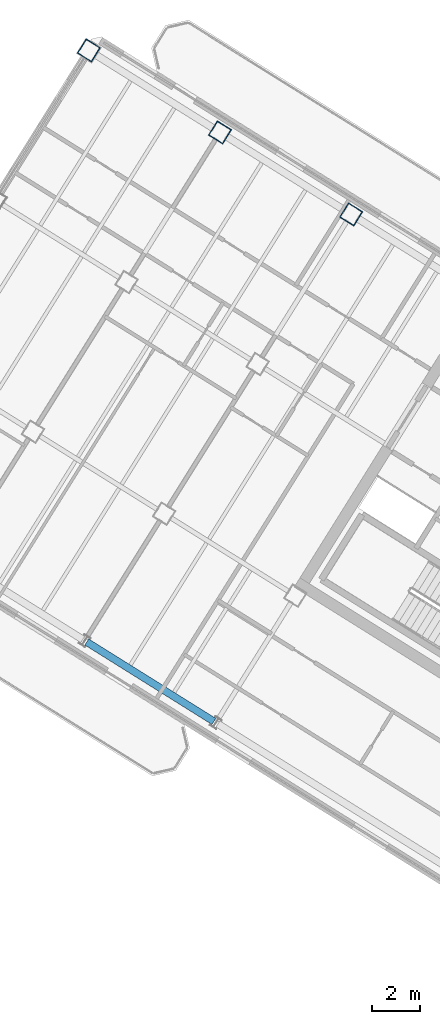
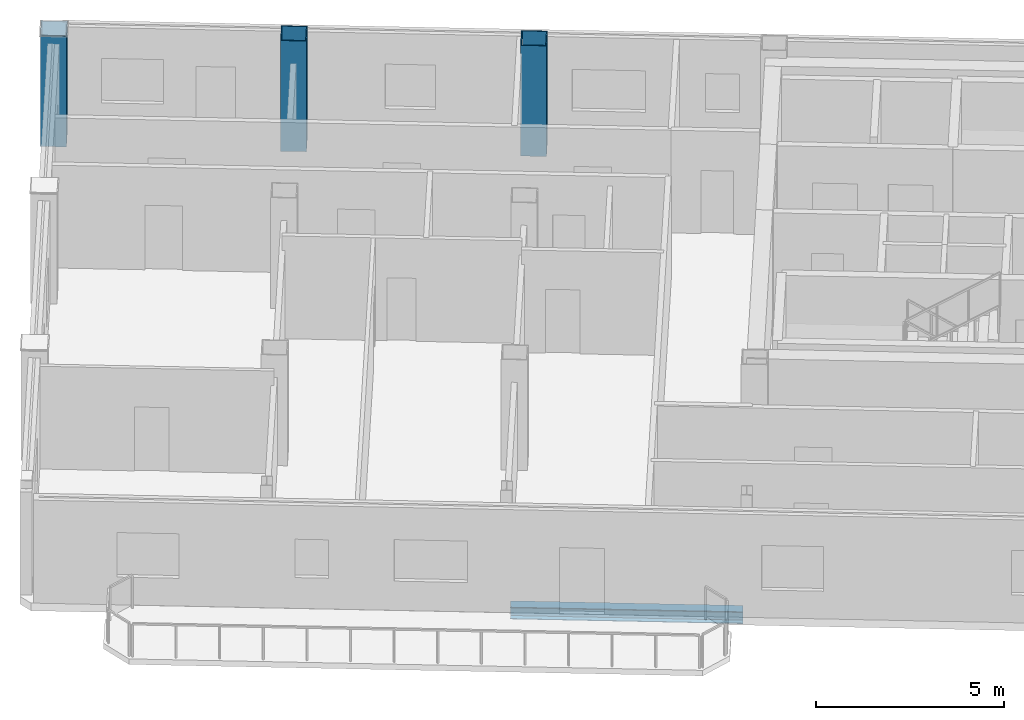
# One storey, part 2 of 17: 3 columns, 1 beam.
"""IFC4 building model written with IfcOpenShell, lengths in metres."""

import ifcopenshell
import ifcopenshell.guid

model = None  # the IFC model being written
_history = None  # IfcOwnerHistory: only IFC2X3 demands one
_inside = {}  # id of a spatial element -> (the spatial element, [elements in it])
_under = {}  # id of a project, library or spatial element -> (it, [spatial elements below it])
_declared = {}  # id of a project -> (the project, [libraries it declares])
_typed = {}  # id of a type object -> (the type object, [elements of that type])
_made_of = {}  # id of a material, layer set ... -> (it, [elements and type objects made of it])


def new_model(schema):
    """Start an empty IFC model of exactly this schema.

    Asked for "IFC4X3", IfcOpenShell would pick the latest addendum, in which some entities
    have other attributes; the version numbers below select the first issue.
    IFC2X3 requires an IfcOwnerHistory on every rooted entity: one is made here for all.
    """
    global model, _history
    if schema == "IFC4X3":
        model = ifcopenshell.file(schema_version=(4, 3, 0, 0))
    else:
        model = ifcopenshell.file(schema=schema)
    _inside.clear()
    _under.clear()
    _declared.clear()
    _typed.clear()
    _made_of.clear()
    _history = None
    if model.schema == "IFC2X3":
        org = make("IfcOrganization", Name="unknown")
        user = make(
            "IfcPersonAndOrganization",
            ThePerson=make("IfcPerson", FamilyName="unknown"),
            TheOrganization=org,
        )
        app = make(
            "IfcApplication",
            ApplicationDeveloper=org,
            Version="unknown",
            ApplicationFullName="unknown",
            ApplicationIdentifier="unknown",
        )
        _history = make(
            "IfcOwnerHistory",
            OwningUser=user,
            OwningApplication=app,
            ChangeAction="ADDED",
            CreationDate=0,
        )
    return model


def make(cls, **values):
    """One entity of the class cls with the attributes given. An attribute that is None is left unset."""
    return model.create_entity(
        cls, **{name: value for name, value in values.items() if value is not None}
    )


def rooted(cls, **values):
    """An entity with a GlobalId (a new one), such as an element, a storey or a relation."""
    return make(cls, GlobalId=ifcopenshell.guid.new(), OwnerHistory=_history, **values)


def si_unit(unit_type, name, prefix=None):
    """IfcSIUnit, for example si_unit("LENGTHUNIT", "METRE", prefix="MILLI")."""
    return make("IfcSIUnit", UnitType=unit_type, Prefix=prefix, Name=name)


def assignment(units):
    """IfcUnitAssignment: the units of a project."""
    return None if units is None else make("IfcUnitAssignment", Units=units)


def point(xyz):
    """IfcCartesianPoint."""
    return None if xyz is None else make("IfcCartesianPoint", Coordinates=xyz)


def direction(xyz):
    """IfcDirection."""
    return None if xyz is None else make("IfcDirection", DirectionRatios=xyz)


def frame(location, z_axis=None, x_axis=None):
    """IfcAxis2Placement3D, a coordinate frame: its origin and axes. An axis left out is left unset."""
    return make(
        "IfcAxis2Placement3D",
        Location=point(location),
        Axis=direction(z_axis),
        RefDirection=direction(x_axis),
    )


def frame_2d(location, x_axis=None):
    """IfcAxis2Placement2D, a coordinate frame in the plane: its origin and x axis."""
    return make(
        "IfcAxis2Placement2D", Location=point(location), RefDirection=direction(x_axis)
    )


def origin():
    """The frame at (0, 0, 0) with its axes left unset."""
    return frame((0.0, 0.0, 0.0))


def origin_2d():
    """The frame at (0, 0) in the plane with its x axis left unset."""
    return frame_2d((0.0, 0.0))


def place(relative_to, where):
    """IfcLocalPlacement: puts the frame where relative to a parent placement (None: the world)."""
    return make(
        "IfcLocalPlacement", PlacementRelTo=relative_to, RelativePlacement=where
    )


def context(
    kind, dimensions, precision=None, world=None, true_north=None, identifier=None
):
    """IfcGeometricRepresentationContext, for example the 3D "Model" context."""
    return make(
        "IfcGeometricRepresentationContext",
        ContextIdentifier=identifier,
        ContextType=kind,
        CoordinateSpaceDimension=dimensions,
        Precision=precision,
        WorldCoordinateSystem=world,
        TrueNorth=true_north,
    )


def subcontext(parent, identifier, kind, view, scale=None):
    """IfcGeometricRepresentationSubContext, for example "Body" below "Model"."""
    return make(
        "IfcGeometricRepresentationSubContext",
        ContextIdentifier=identifier,
        ContextType=kind,
        ParentContext=parent,
        TargetScale=scale,
        TargetView=view,
    )


def project(units=None, contexts=None):
    """IfcProject with its units and contexts."""
    return rooted(
        "IfcProject",
        Name="project",
        RepresentationContexts=contexts,
        UnitsInContext=assignment(units),
    )


def spatial(cls, under=None, at=None, **own):
    """A site, building, storey or space (cls), placed at a placement, below another one or the project."""
    s = rooted(cls, ObjectPlacement=at, **own)
    if under is not None:
        _under.setdefault(under.id(), (under, []))[1].append(s)
    return s


def profile(cls, at=None, kind="AREA", **sizes):
    """A parametric profile (cls). Its sizes go by their IFC names, for example OverallWidth=200.0."""
    return make(cls, ProfileType=kind, Position=at, **sizes)


def hollow_rectangle(**sizes):
    """IfcRectangleHollowProfileDef."""
    return profile("IfcRectangleHollowProfileDef", **sizes)


def i_section(**sizes):
    """IfcIShapeProfileDef."""
    return profile("IfcIShapeProfileDef", **sizes)


def extrude(swept, where, along, depth):
    """IfcExtrudedAreaSolid: the profile swept, set in the frame where, extruded along a direction by depth."""
    return make(
        "IfcExtrudedAreaSolid",
        SweptArea=swept,
        Position=where,
        ExtrudedDirection=direction(along),
        Depth=depth,
    )


def shape(context_of_items, identifier, shape_type, items):
    """IfcShapeRepresentation: the items that make up one representation, for example the "Body"."""
    return make(
        "IfcShapeRepresentation",
        ContextOfItems=context_of_items,
        RepresentationIdentifier=identifier,
        RepresentationType=shape_type,
        Items=items,
    )


def source(mapping_origin, context_of_items, identifier, shape_type, items):
    """IfcRepresentationMap: a shape defined once, which mapped items show again and again."""
    return make(
        "IfcRepresentationMap",
        MappingOrigin=mapping_origin,
        MappedRepresentation=shape(context_of_items, identifier, shape_type, items),
    )


def transform(
    local_origin,
    x_axis=None,
    y_axis=None,
    z_axis=None,
    scale=None,
    scale2=None,
    scale3=None,
    uniform=True,
):
    """IfcCartesianTransformationOperator3D, or its non-uniform kind. x_axis, y_axis, z_axis: its Axis1, 2, 3."""
    if uniform:
        return make(
            "IfcCartesianTransformationOperator3D",
            Axis1=direction(x_axis),
            Axis2=direction(y_axis),
            LocalOrigin=point(local_origin),
            Scale=scale,
            Axis3=direction(z_axis),
        )
    return make(
        "IfcCartesianTransformationOperator3DnonUniform",
        Axis1=direction(x_axis),
        Axis2=direction(y_axis),
        LocalOrigin=point(local_origin),
        Scale=scale,
        Axis3=direction(z_axis),
        Scale2=scale2,
        Scale3=scale3,
    )


def mapped(mapping_source, mapping_target):
    """IfcMappedItem: shows the shape of a source again, moved by a transform."""
    return make(
        "IfcMappedItem", MappingSource=mapping_source, MappingTarget=mapping_target
    )


def material(Name=None, Category=None):
    """IfcMaterial."""
    return make("IfcMaterial", Name=Name, Category=Category)


def material_profile(
    of_material, cross_section, Name=None, Category=None, Priority=None
):
    """IfcMaterialProfile: a cross section and its material."""
    return make(
        "IfcMaterialProfile",
        Name=Name,
        Material=of_material,
        Profile=cross_section,
        Priority=Priority,
        Category=Category,
    )


def profile_set(profiles, Name=None, composite=None):
    """IfcMaterialProfileSet."""
    return make(
        "IfcMaterialProfileSet",
        Name=Name,
        MaterialProfiles=profiles,
        CompositeProfile=composite,
    )


def made_of(thing, what):
    """Note that an element or type object is made of a material, layer set ...; save() writes the relation."""
    if what is not None:
        _made_of.setdefault(what.id(), (what, []))[1].append(thing)
    return thing


def type_object(cls, material=None, **own):
    """A type object (cls), such as IfcWallType, which elements share."""
    return made_of(rooted(cls, **own), material)


def element(
    cls,
    number,
    at=None,
    inside=None,
    cuts=None,
    type_object=None,
    material=None,
    context=None,
    identifier="Body",
    shape_type=None,
    held_by="IfcProductDefinitionShape",
    body=None,
    shapes=None,
    **own,
):
    """One element of the class cls, such as IfcWall. Its Tag is "e" and its number.

    at: its placement. inside: the storey or other place that contains it. cuts: it is an
    opening in that element (IfcRelVoidsElement). A single representation is given by context,
    identifier, shape_type and body (its items); several are given by shapes. held_by: the class
    of the entity that holds the representations. save() writes the other relations.
    """
    e = rooted(cls, Tag="e%d" % number, ObjectPlacement=at, **own)
    if body is not None:
        shapes = [shape(context, identifier, shape_type, body)]
    if shapes is not None:
        e.Representation = make(held_by, Representations=shapes)
    if inside is not None:
        _inside.setdefault(inside.id(), (inside, []))[1].append(e)
    if cuts is not None:
        rooted(
            "IfcRelVoidsElement", RelatingBuildingElement=cuts, RelatedOpeningElement=e
        )
    if type_object is not None:
        _typed.setdefault(type_object.id(), (type_object, []))[1].append(e)
    return made_of(e, material)


def aggregate(whole, parts):
    """IfcRelAggregates: a whole, such as a stair, and the parts it consists of."""
    return rooted("IfcRelAggregates", RelatingObject=whole, RelatedObjects=parts)


def save(model, path):
    """Write the relations noted so far, then the file.

    IfcRelAggregates (storeys below a building ...), IfcRelContainedInSpatialStructure (elements
    in a storey), IfcRelDefinesByType, IfcRelAssociatesMaterial and IfcRelDeclares: one each for
    every whole, place, type object, material and project.
    """
    for whole, parts in _under.values():
        aggregate(whole, parts)
    for where, things in _inside.values():
        rooted(
            "IfcRelContainedInSpatialStructure",
            RelatedElements=things,
            RelatingStructure=where,
        )
    for kind, things in _typed.values():
        rooted("IfcRelDefinesByType", RelatedObjects=things, RelatingType=kind)
    for what, things in _made_of.values():
        rooted("IfcRelAssociatesMaterial", RelatedObjects=things, RelatingMaterial=what)
    for by, libraries in _declared.values():
        rooted("IfcRelDeclares", RelatingContext=by, RelatedDefinitions=libraries)
    model.write(path)


model = new_model("IFC4")

# Units and contexts
model_context = context("Model", 3, precision=1e-05, world=origin(), true_north=direction((0.0, 1.0)))
body_context = subcontext(model_context, "Body", "Model", "MODEL_VIEW")
ifc_project = project(units=[si_unit("LENGTHUNIT", "METRE"), si_unit("AREAUNIT", "SQUARE_METRE"), si_unit("VOLUMEUNIT", "CUBIC_METRE"), si_unit("PLANEANGLEUNIT", "RADIAN"), si_unit("MASSUNIT", "GRAM", prefix="KILO")], contexts=[model_context])

# Site, building, storey
site_placement = place(None, origin())
site = spatial("IfcSite", under=ifc_project, at=site_placement, CompositionType="ELEMENT")
building_placement = place(site_placement, origin())
building = spatial("IfcBuilding", under=site, at=building_placement, Name="Tlacorven Tower", CompositionType="ELEMENT")
storey_placement = place(building_placement, frame((0.0, 0.0, 277.199951171875)))
storey = spatial("IfcBuildingStorey", under=building, at=storey_placement, Name="L70", CompositionType="ELEMENT", Elevation=277.199951171875)

# Columns
ifc_material_1 = material(Name="Steel S460M", Category="steel")
ifc_material_profile_1 = material_profile(ifc_material_1, hollow_rectangle(XDim=0.699951171875, YDim=0.699951171875, WallThickness=0.028076171875, at=origin_2d()), Name="BOX 700X700X28")
ifc_profile_set_1 = profile_set([ifc_material_profile_1], Name="Steel S460M")
column_type = type_object("IfcColumnType", Name="COL-TWR-S4", PredefinedType="COLUMN", material=ifc_profile_set_1)
shared_shape_1 = source(origin(), body_context, "Body", "SweptSolid", [
    extrude(hollow_rectangle(XDim=0.699951171875, YDim=0.699951171875, WallThickness=0.028076171875, at=origin_2d()), origin(), (0.0, 0.0, 1.0), 3.60009765625),
])
for number, where, z_axis, x_axis, name in (
    (1, (24.50048828125, 34.642822265625, 0.0), (0.0, 0.0, 1.0), (-0.848048096156, 0.529919264233, 0.0), "L70 column COL-L70-W4-1"),
    (2, (19.072998046875, 38.034423828125, 0.0), (0.0, 0.0, 1.0), (-0.848048096156, 0.529919264233, 0.0), "L70 column COL-L70-W5-1"),
    (3, (13.6455078125, 41.42578125, 0.0), (0.0, 0.0, 1.0), (-0.848048096156, 0.529919264233, 0.0), "L70 column COL-L70-W6-1"),
):
    element("IfcColumn", number, at=place(storey_placement, frame(where, z_axis=z_axis, x_axis=x_axis)), inside=storey, type_object=column_type, Name=name, PredefinedType="COLUMN", context=body_context, shape_type="MappedRepresentation", body=[
        mapped(shared_shape_1, transform((0.0, 0.0, 0.0), scale=1.0)),
    ])

# Beam
ifc_material_2 = material(Name="Steel S355J2", Category="steel")
ifc_material_profile_2 = material_profile(ifc_material_2, i_section(OverallWidth=0.300048828125, OverallDepth=0.389892578125, WebThickness=0.010986328125, FlangeThickness=0.01904296875, at=origin_2d()), Name="HEA 400")
ifc_profile_set_2 = profile_set([ifc_material_profile_2], Name="Steel S355J2")
beam_type = type_object("IfcBeamType", Name="BM-SPN-400", PredefinedType="SPANDREL", material=ifc_profile_set_2)
shared_shape_2 = source(origin(), body_context, "Body", "SweptSolid", [
    extrude(i_section(OverallWidth=0.300048828125, OverallDepth=0.389892578125, WebThickness=0.010986328125, FlangeThickness=0.01904296875, at=origin_2d()), origin(), (0.0, 0.0, 1.0), 6.199951171875),
])
beam_placement = place(storey_placement, frame((18.82080078125, 13.6650390625, -0.445068359375), z_axis=(-0.848051394107, 0.529913986372, 0.0), x_axis=(-0.529913986372, -0.848051394107, 0.0)))
element("IfcBeam", 4, at=beam_placement, inside=storey, type_object=beam_type, Name="L70 beam BM-L70-WL4-3", PredefinedType="SPANDREL", context=body_context, shape_type="MappedRepresentation", body=[
    mapped(shared_shape_2, transform((0.0, 0.0, 0.0), scale=1.0)),
])

save(model, "model.ifc")
